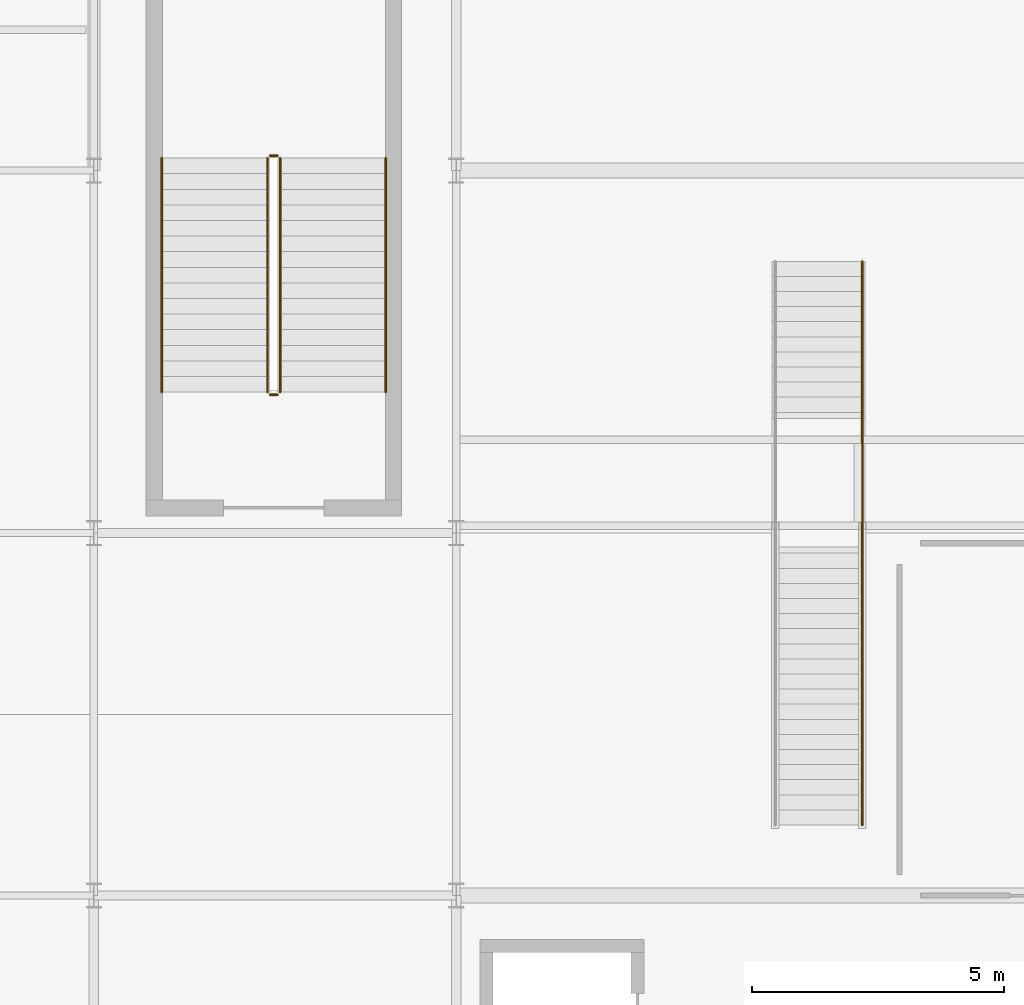
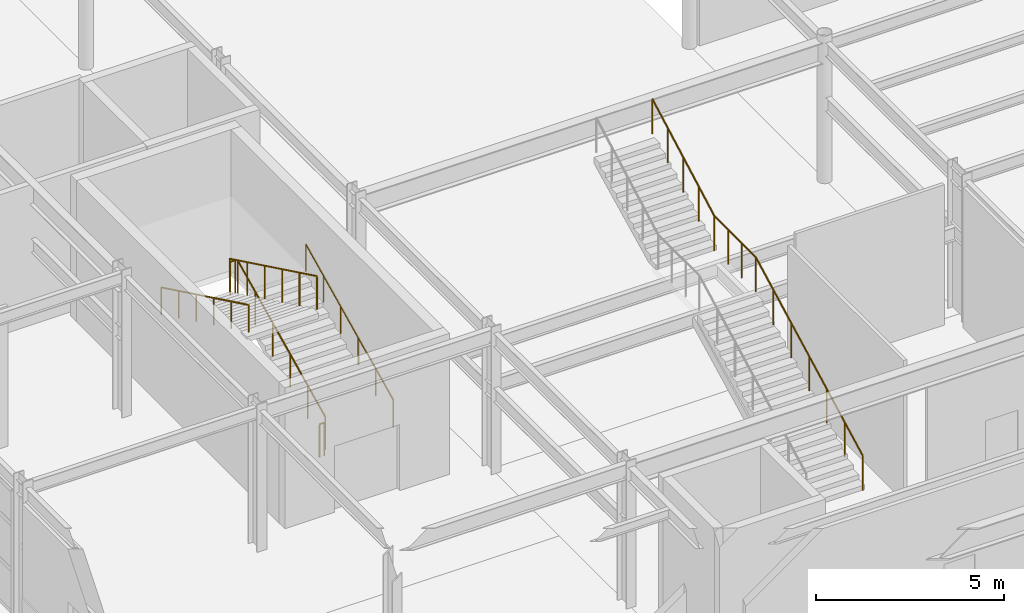
# One storey, part 73 of 83: 7 railings.
"""IFC4 building model written with IfcOpenShell, lengths in metres."""

from ifc_helpers import new_model, si_unit, direction, frame, origin, origin_2d, place, context, subcontext, project, spatial, circle, extrude, material, type_object, element, save


model = new_model("IFC4")

# Units and contexts
model_context = context("Model", 3, precision=1e-05, world=origin(), true_north=direction((0.0, 1.0)))
body_context = subcontext(model_context, "Body", "Model", "MODEL_VIEW")
ifc_project = project(units=[si_unit("LENGTHUNIT", "METRE"), si_unit("AREAUNIT", "SQUARE_METRE"), si_unit("VOLUMEUNIT", "CUBIC_METRE"), si_unit("PLANEANGLEUNIT", "RADIAN"), si_unit("MASSUNIT", "GRAM", prefix="KILO")], contexts=[model_context])

# Site, building, storey
site_placement = place(None, origin())
site = spatial("IfcSite", under=ifc_project, at=site_placement, CompositionType="ELEMENT")
building_placement = place(site_placement, origin())
building = spatial("IfcBuilding", under=site, at=building_placement, Name="Solvadek Multi-Sports Hall", CompositionType="ELEMENT")
storey_placement = place(building_placement, origin())
storey = spatial("IfcBuildingStorey", under=building, at=storey_placement, Name="L00", CompositionType="ELEMENT", Elevation=0.0)

# Railings
ifc_material = material(Name="Steel E250 (250 MPa)", Category="steel")
railing_type_1 = type_object("IfcRailingType", Name="INT-RAL-GRD115", PredefinedType="BALUSTRADE", material=ifc_material)
railing_1_placement = place(storey_placement, frame((68.5, 44.800048828125, 0.14990234375)))
element("IfcRailing", 1, at=railing_1_placement, inside=storey, type_object=railing_type_1, Name="L00 ST-04 stair guard 1", PredefinedType="BALUSTRADE", context=body_context, shape_type="SweptSolid", body=[
    extrude(circle(Radius=0.02392578125, at=origin_2d()), frame((0.0, 0.0, 1.076171875), z_axis=(0.0, 0.900155664878, 0.435568340204), x_axis=(-1.0, 0.0, 0.0)), (0.0, 0.0, 1.0), 5.165771484375),
    extrude(circle(Radius=0.02099609375, at=origin_2d()), origin(), (0.0, 0.0, 1.0), 1.052001953125),
    extrude(circle(Radius=0.02099609375, at=origin_2d()), frame((0.0, 0.929931640625, 0.449951171875)), (0.0, 0.0, 1.0), 1.052001953125),
    extrude(circle(Radius=0.02099609375, at=origin_2d()), frame((0.0, 1.85986328125, 0.89990234375)), (0.0, 0.0, 1.0), 1.052001953125),
    extrude(circle(Radius=0.02099609375, at=origin_2d()), frame((0.0, 2.7900390625, 1.35009765625)), (0.0, 0.0, 1.0), 1.052001953125),
    extrude(circle(Radius=0.02099609375, at=origin_2d()), frame((0.0, 3.719970703125, 1.800048828125)), (0.0, 0.0, 1.0), 1.052001953125),
    extrude(circle(Radius=0.02099609375, at=origin_2d()), frame((0.0, 4.64990234375, 2.25)), (0.0, 0.0, 1.0), 1.052001953125),
])
railing_2_placement = place(storey_placement, frame((68.449951171875, 49.5, 2.39990234375)))
element("IfcRailing", 2, at=railing_2_placement, inside=storey, type_object=railing_type_1, Name="L00 ST-04 stair guard 2", PredefinedType="BALUSTRADE", context=body_context, shape_type="SweptSolid", body=[
    extrude(circle(Radius=0.02392578125, at=origin_2d()), frame((0.0, 0.0, 1.076171875), z_axis=(-1.0, 0.0, 0.0), x_axis=(0.0, -1.0, 0.0)), (0.0, 0.0, 1.0), 0.14990234375),
    extrude(circle(Radius=0.02099609375, at=origin_2d()), origin(), (0.0, 0.0, 1.0), 1.052001953125),
    extrude(circle(Radius=0.02099609375, at=origin_2d()), frame((-0.14990234375, 0.0, 0.0)), (0.0, 0.0, 1.0), 1.052001953125),
])
railing_3_placement = place(storey_placement, frame((68.25, 49.449951171875, 2.550048828125)))
element("IfcRailing", 3, at=railing_3_placement, inside=storey, type_object=railing_type_1, Name="L00 ST-04 stair guard 3", PredefinedType="BALUSTRADE", context=body_context, shape_type="SweptSolid", body=[
    extrude(circle(Radius=0.02392578125, at=origin_2d()), frame((0.0, 0.0, 1.076171875), z_axis=(0.0, -0.900155664878, 0.435568340204), x_axis=(1.0, 0.0, 0.0)), (0.0, 0.0, 1.0), 5.165771484375),
    extrude(circle(Radius=0.02099609375, at=origin_2d()), origin(), (0.0, 0.0, 1.0), 1.052001953125),
    extrude(circle(Radius=0.02099609375, at=origin_2d()), frame((0.0, -0.929931640625, 0.449951171875)), (0.0, 0.0, 1.0), 1.052001953125),
    extrude(circle(Radius=0.02099609375, at=origin_2d()), frame((0.0, -1.85986328125, 0.89990234375)), (0.0, 0.0, 1.0), 1.052001953125),
    extrude(circle(Radius=0.02099609375, at=origin_2d()), frame((0.0, -2.7900390625, 1.35009765625)), (0.0, 0.0, 1.0), 1.052001953125),
    extrude(circle(Radius=0.02099609375, at=origin_2d()), frame((0.0, -3.719970703125, 1.800048828125)), (0.0, 0.0, 1.0), 1.052001953125),
    extrude(circle(Radius=0.02099609375, at=origin_2d()), frame((0.0, -4.64990234375, 2.25)), (0.0, 0.0, 1.0), 1.052001953125),
])
railing_4_placement = place(storey_placement, frame((68.449951171875, 44.75, 0.0)))
element("IfcRailing", 4, at=railing_4_placement, inside=storey, type_object=railing_type_1, Name="L00 ST-04 stair guard 4", PredefinedType="BALUSTRADE", context=body_context, shape_type="SweptSolid", body=[
    extrude(circle(Radius=0.02392578125, at=origin_2d()), frame((0.0, 0.0, 1.076171875), z_axis=(-1.0, 0.0, 0.0), x_axis=(0.0, -1.0, 0.0)), (0.0, 0.0, 1.0), 0.14990234375),
    extrude(circle(Radius=0.02099609375, at=origin_2d()), origin(), (0.0, 0.0, 1.0), 1.052001953125),
    extrude(circle(Radius=0.02099609375, at=origin_2d()), frame((-0.14990234375, 0.0, 0.0)), (0.0, 0.0, 1.0), 1.052001953125),
])
railing_5_placement = place(storey_placement, frame((80.06494140625, 36.199951171875, 0.0)))
element("IfcRailing", 5, at=railing_5_placement, inside=storey, type_object=railing_type_1, Name="Stair ST-07 Balustrade Guard", PredefinedType="BALUSTRADE", context=body_context, shape_type="SweptSolid", body=[
    extrude(circle(Radius=0.02392578125, at=origin_2d()), frame((0.0, 0.0, 1.1259765625), z_axis=(0.0, 0.884916578004, 0.465749557138), x_axis=(-1.0, 0.0, 0.0)), (0.0, 0.0, 1.0), 6.441162109375),
    extrude(circle(Radius=0.02392578125, at=origin_2d()), frame((0.0, 5.699951171875, 4.1259765625), z_axis=(0.0, 1.0, 0.0), x_axis=(-1.0, 0.0, 0.0)), (0.0, 0.0, 1.0), 2.2001953125),
    extrude(circle(Radius=0.02392578125, at=origin_2d()), frame((0.0, 7.900146484375, 4.1259765625), z_axis=(0.0, 0.8778781969, 0.478883985332), x_axis=(-1.0, 0.0, 0.0)), (0.0, 0.0, 1.0), 3.7587890625),
    extrude(circle(Radius=0.02099609375, at=origin_2d()), origin(), (0.0, 0.0, 1.0), 1.101806640625),
    extrude(circle(Radius=0.02099609375, at=origin_2d()), frame((0.0, 0.949951171875, 0.5)), (0.0, 0.0, 1.0), 1.101806640625),
    extrude(circle(Radius=0.02099609375, at=origin_2d()), frame((0.0, 1.89990234375, 1.0)), (0.0, 0.0, 1.0), 1.101806640625),
    extrude(circle(Radius=0.02099609375, at=origin_2d()), frame((0.0, 2.85009765625, 1.5)), (0.0, 0.0, 1.0), 1.101806640625),
    extrude(circle(Radius=0.02099609375, at=origin_2d()), frame((0.0, 3.800048828125, 2.0)), (0.0, 0.0, 1.0), 1.101806640625),
    extrude(circle(Radius=0.02099609375, at=origin_2d()), frame((0.0, 4.75, 2.5)), (0.0, 0.0, 1.0), 1.101806640625),
    extrude(circle(Radius=0.02099609375, at=origin_2d()), frame((0.0, 5.699951171875, 3.0)), (0.0, 0.0, 1.0), 1.101806640625),
    extrude(circle(Radius=0.02099609375, at=origin_2d()), frame((0.0, 6.433349609375, 3.0)), (0.0, 0.0, 1.0), 1.101806640625),
    extrude(circle(Radius=0.02099609375, at=origin_2d()), frame((0.0, 7.166748046875, 3.0)), (0.0, 0.0, 1.0), 1.101806640625),
    extrude(circle(Radius=0.02099609375, at=origin_2d()), frame((0.0, 7.900146484375, 3.0)), (0.0, 0.0, 1.0), 1.101806640625),
    extrude(circle(Radius=0.02099609375, at=origin_2d()), frame((0.0, 8.72509765625, 3.449951171875)), (0.0, 0.0, 1.0), 1.101806640625),
    extrude(circle(Radius=0.02099609375, at=origin_2d()), frame((0.0, 9.550048828125, 3.89990234375)), (0.0, 0.0, 1.0), 1.101806640625),
    extrude(circle(Radius=0.02099609375, at=origin_2d()), frame((0.0, 10.375, 4.35009765625)), (0.0, 0.0, 1.0), 1.101806640625),
    extrude(circle(Radius=0.02099609375, at=origin_2d()), frame((0.0, 11.199951171875, 4.800048828125)), (0.0, 0.0, 1.0), 1.101806640625),
])
railing_type_2 = type_object("IfcRailingType", Name="INT-RAL-HND090", PredefinedType="HANDRAIL", material=ifc_material)
railing_6_placement = place(storey_placement, frame((70.60009765625, 44.800048828125, 0.14990234375)))
element("IfcRailing", 6, at=railing_6_placement, inside=storey, type_object=railing_type_2, Name="L00 ST-04 stair handrail 1", PredefinedType="HANDRAIL", context=body_context, shape_type="SweptSolid", body=[
    extrude(circle(Radius=0.02392578125, at=origin_2d()), frame((0.0, 0.0, 0.8759765625), z_axis=(0.0, 0.900155664878, 0.435568340204), x_axis=(-1.0, 0.0, 0.0)), (0.0, 0.0, 1.0), 5.165771484375),
    extrude(circle(Radius=0.02099609375, at=origin_2d()), origin(), (0.0, 0.0, 1.0), 0.851806640625),
    extrude(circle(Radius=0.02099609375, at=origin_2d()), frame((0.0, 0.929931640625, 0.449951171875)), (0.0, 0.0, 1.0), 0.851806640625),
    extrude(circle(Radius=0.02099609375, at=origin_2d()), frame((0.0, 1.85986328125, 0.89990234375)), (0.0, 0.0, 1.0), 0.851806640625),
    extrude(circle(Radius=0.02099609375, at=origin_2d()), frame((0.0, 2.7900390625, 1.35009765625)), (0.0, 0.0, 1.0), 0.851806640625),
    extrude(circle(Radius=0.02099609375, at=origin_2d()), frame((0.0, 3.719970703125, 1.800048828125)), (0.0, 0.0, 1.0), 0.851806640625),
    extrude(circle(Radius=0.02099609375, at=origin_2d()), frame((0.0, 4.64990234375, 2.25)), (0.0, 0.0, 1.0), 0.851806640625),
])
railing_7_placement = place(storey_placement, frame((66.14990234375, 49.449951171875, 2.550048828125)))
element("IfcRailing", 7, at=railing_7_placement, inside=storey, type_object=railing_type_2, Name="L00 ST-04 stair handrail 2", PredefinedType="HANDRAIL", context=body_context, shape_type="SweptSolid", body=[
    extrude(circle(Radius=0.02392578125, at=origin_2d()), frame((0.0, 0.0, 0.8759765625), z_axis=(0.0, -0.900155664878, 0.435568340204), x_axis=(1.0, 0.0, 0.0)), (0.0, 0.0, 1.0), 5.165771484375),
    extrude(circle(Radius=0.02099609375, at=origin_2d()), origin(), (0.0, 0.0, 1.0), 0.851806640625),
    extrude(circle(Radius=0.02099609375, at=origin_2d()), frame((0.0, -0.929931640625, 0.449951171875)), (0.0, 0.0, 1.0), 0.851806640625),
    extrude(circle(Radius=0.02099609375, at=origin_2d()), frame((0.0, -1.85986328125, 0.89990234375)), (0.0, 0.0, 1.0), 0.851806640625),
    extrude(circle(Radius=0.02099609375, at=origin_2d()), frame((0.0, -2.7900390625, 1.35009765625)), (0.0, 0.0, 1.0), 0.851806640625),
    extrude(circle(Radius=0.02099609375, at=origin_2d()), frame((0.0, -3.719970703125, 1.800048828125)), (0.0, 0.0, 1.0), 0.851806640625),
    extrude(circle(Radius=0.02099609375, at=origin_2d()), frame((0.0, -4.64990234375, 2.25)), (0.0, 0.0, 1.0), 0.851806640625),
])

save(model, "model.ifc")
